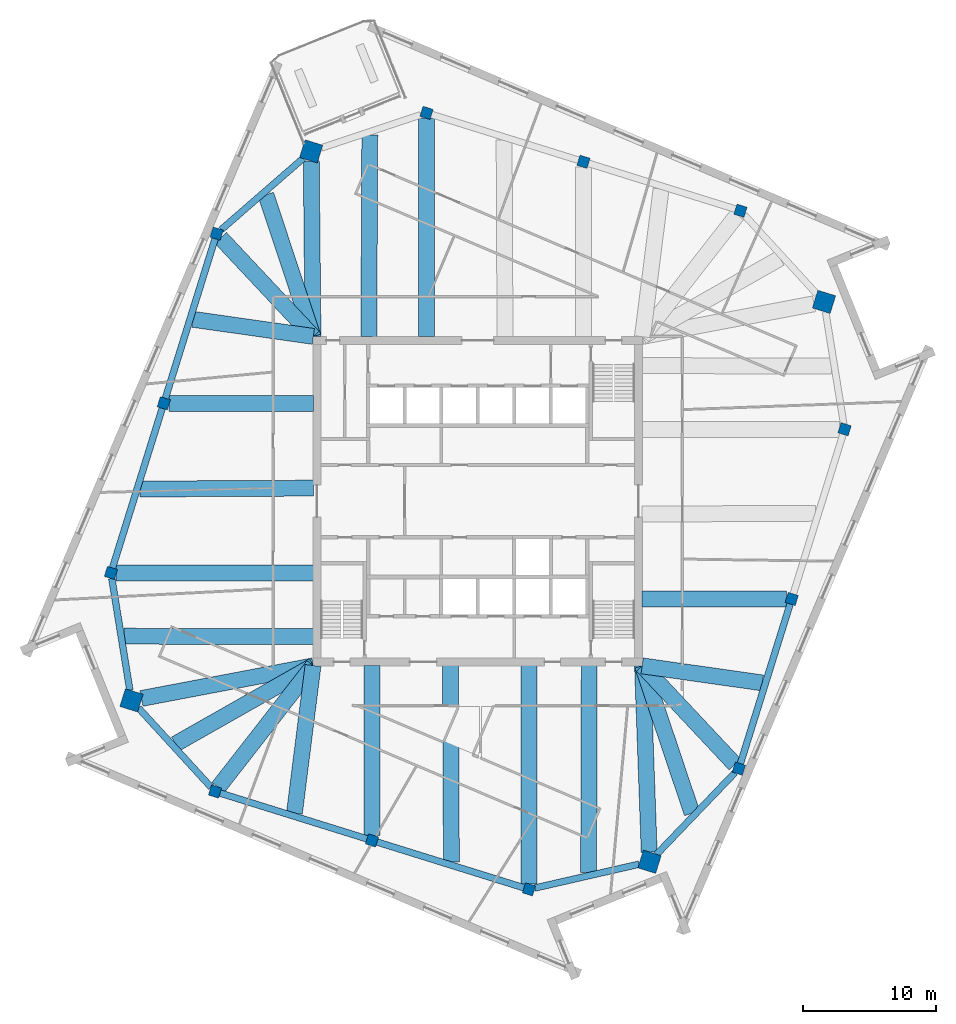
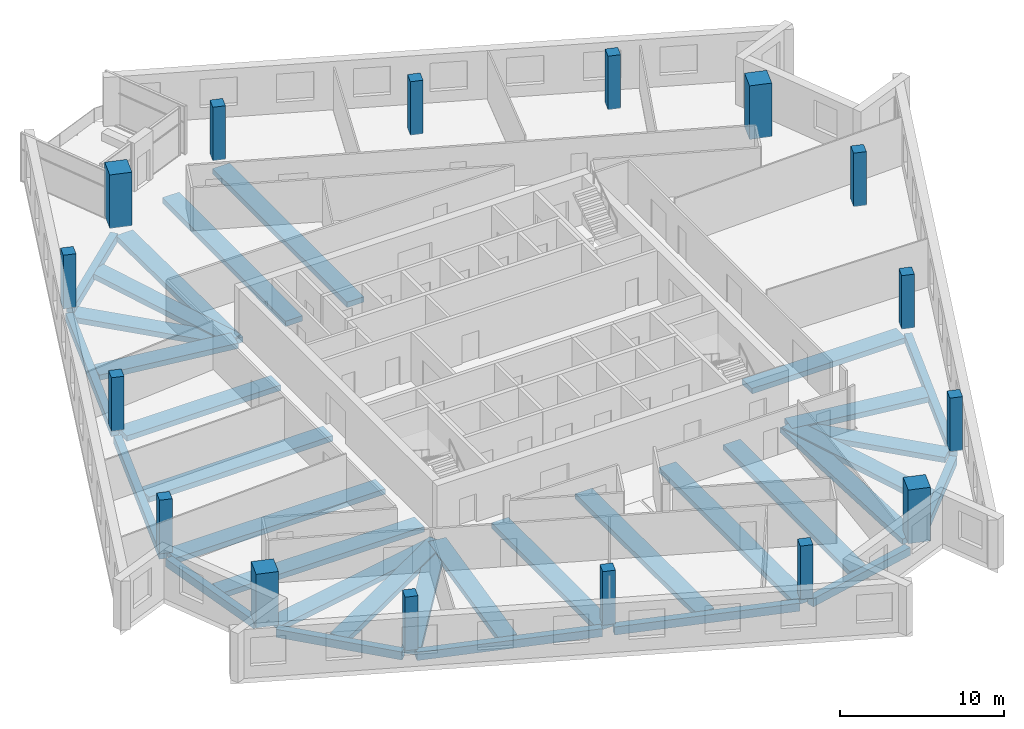
# One storey, part 1 of 13: 33 beams, 16 columns.
"""IFC4 building model written with IfcOpenShell, lengths in metres."""

from ifc_helpers import new_model, si_unit, direction, frame, origin, origin_2d, place, context, subcontext, project, spatial, rectangle, extrude, material, material_profile, profile_set, type_object, element, save


model = new_model("IFC4")

# Units and contexts
model_context = context("Model", 3, precision=1e-05, world=origin(), true_north=direction((0.0, 1.0)))
body_context = subcontext(model_context, "Body", "Model", "MODEL_VIEW")
ifc_project = project(units=[si_unit("LENGTHUNIT", "METRE"), si_unit("AREAUNIT", "SQUARE_METRE"), si_unit("VOLUMEUNIT", "CUBIC_METRE"), si_unit("PLANEANGLEUNIT", "RADIAN"), si_unit("MASSUNIT", "GRAM", prefix="KILO")], contexts=[model_context])

# Site, building, storey
site_placement = place(None, origin())
site = spatial("IfcSite", under=ifc_project, at=site_placement, CompositionType="ELEMENT")
building_placement = place(site_placement, origin())
building = spatial("IfcBuilding", under=site, at=building_placement, Name="Dilmun Exchange Tower", CompositionType="ELEMENT")
storey_placement = place(building_placement, frame((0.0, 0.0, 300.5)))
storey = spatial("IfcBuildingStorey", under=building, at=storey_placement, Name="L71", CompositionType="ELEMENT", Elevation=300.5)

# Columns
ifc_material_1 = material(Name="Concrete C50/60", Category="concrete")
ifc_material_profile_1 = material_profile(ifc_material_1, rectangle(XDim=1.39990234375, YDim=1.39990234375, at=origin_2d()), Name="1400 x 1400")
ifc_profile_set_1 = profile_set([ifc_material_profile_1], Name="Concrete C50/60")
column_type_1 = type_object("IfcColumnType", Name="RC mega column 1400 x 1400 C50/60", PredefinedType="COLUMN", material=ifc_profile_set_1)
for number, where, z_axis, x_axis, name in (
    (1, (-12.537109375, 26.322021484375, 0.0), (0.0, 0.0, 1.0), (0.297503182032, 0.954720826567, 0.0), "Mega column M1"),
    (2, (-26.06005859375, -14.9951171875, 0.0), (0.0, 0.0, 1.0), (0.297503182032, 0.954720826567, 0.0), "Mega column M2"),
    (3, (12.928955078125, -27.14404296875, 0.0), (0.0, 0.0, 1.0), (0.297503182032, 0.954720826567, 0.0), "Mega column M3"),
    (4, (26.06005859375, 14.9951171875, 0.0), (0.0, 0.0, 1.0), (0.297503182032, 0.954720826567, 0.0), "Mega column M4"),
):
    element("IfcColumn", number, at=place(storey_placement, frame(where, z_axis=z_axis, x_axis=x_axis)), inside=storey, type_object=column_type_1, Name=name, PredefinedType="COLUMN", context=body_context, shape_type="SweptSolid", body=[
        extrude(rectangle(XDim=1.39990234375, YDim=1.39990234375, at=origin_2d()), origin(), (0.0, 0.0, 1.0), 4.0),
    ])
ifc_material_profile_2 = material_profile(ifc_material_1, rectangle(XDim=0.800048828125, YDim=0.800048828125, at=origin_2d()), Name="800 x 800")
ifc_profile_set_2 = profile_set([ifc_material_profile_2], Name="Concrete C50/60")
column_type_2 = type_object("IfcColumnType", Name="RC ring column 800 x 800 C50/60", PredefinedType="COLUMN", material=ifc_profile_set_2)
for number, where, z_axis, x_axis, name in (
    (5, (-19.64990234375, 20.133056640625, 0.0), (0.0, 0.0, 1.0), (0.297503182032, 0.954720826567, 0.0), "Ring column R01"),
    (6, (-23.62890625, 7.363037109375, 0.0), (0.0, 0.0, 1.0), (0.297503182032, 0.954720826567, 0.0), "Ring column R02"),
    (7, (-27.60791015625, -5.406005859375, 0.0), (0.0, 0.0, 1.0), (0.297503182032, 0.954720826567, 0.0), "Ring column R03"),
    (8, (-19.77294921875, -21.85693359375, 0.0), (0.0, 0.0, 1.0), (0.297503182032, 0.954720826567, 0.0), "Ring column R04"),
    (9, (-7.9580078125, -25.5390625, 0.0), (0.0, 0.0, 1.0), (0.297503182032, 0.954720826567, 0.0), "Ring column R05"),
    (10, (3.85595703125, -29.219970703125, 0.0), (0.0, 0.0, 1.0), (0.297503182032, 0.954720826567, 0.0), "Ring column R06"),
    (11, (19.64990234375, -20.133056640625, 0.0), (0.0, 0.0, 1.0), (0.297503182032, 0.954720826567, 0.0), "Ring column R07"),
    (12, (23.62890625, -7.363037109375, 0.0), (0.0, 0.0, 1.0), (0.297503182032, 0.954720826567, 0.0), "Ring column R08"),
    (13, (27.60791015625, 5.406005859375, 0.0), (0.0, 0.0, 1.0), (0.297503182032, 0.954720826567, 0.0), "Ring column R09"),
    (14, (19.77294921875, 21.85693359375, 0.0), (0.0, 0.0, 1.0), (0.297503182032, 0.954720826567, 0.0), "Ring column R10"),
    (15, (7.9580078125, 25.5390625, 0.0), (0.0, 0.0, 1.0), (0.297503182032, 0.954720826567, 0.0), "Ring column R11"),
    (16, (-3.85595703125, 29.219970703125, 0.0), (0.0, 0.0, 1.0), (0.297503182032, 0.954720826567, 0.0), "Ring column R12"),
):
    element("IfcColumn", number, at=place(storey_placement, frame(where, z_axis=z_axis, x_axis=x_axis)), inside=storey, type_object=column_type_2, Name=name, PredefinedType="COLUMN", context=body_context, shape_type="SweptSolid", body=[
        extrude(rectangle(XDim=0.800048828125, YDim=0.800048828125, at=origin_2d()), origin(), (0.0, 0.0, 1.0), 4.0),
    ])

# Beams
ifc_material_2 = material(Name="Concrete C40/50", Category="concrete")
ifc_material_profile_3 = material_profile(ifc_material_2, rectangle(XDim=1.199951171875, YDim=0.39990234375, at=origin_2d()), Name="1200 x 400")
ifc_profile_set_3 = profile_set([ifc_material_profile_3], Name="Concrete C40/50")
beam_type_1 = type_object("IfcBeamType", Name="RC band beam 1200 x 400 C40/50", PredefinedType="BEAM", material=ifc_profile_set_3)
beam_1_placement = place(storey_placement, frame((-12.530029296875, 25.613525390625, -0.64990234375), z_axis=(0.009845926203, -0.999951527694, 0.0), x_axis=(0.999951527694, 0.009845926203, 0.0)))
element("IfcBeam", 17, at=beam_1_placement, inside=storey, type_object=beam_type_1, Name="Band beam 1", PredefinedType="BEAM", context=body_context, shape_type="SweptSolid", body=[
    extrude(rectangle(XDim=1.199951171875, YDim=0.39990234375, at=origin_2d()), origin(), (0.0, 0.0, 1.0), 13.2412109375),
])
beam_2_placement = place(storey_placement, frame((-19.35400390625, 19.8173828125, -0.64990234375), z_axis=(0.683952281649, -0.729526748261, 0.0), x_axis=(0.729526748261, 0.683952281649, 0.0)))
element("IfcBeam", 18, at=beam_2_placement, inside=storey, type_object=beam_type_1, Name="Band beam 2", PredefinedType="BEAM", context=body_context, shape_type="SweptSolid", body=[
    extrude(rectangle(XDim=1.199951171875, YDim=0.39990234375, at=origin_2d()), origin(), (0.0, 0.0, 1.0), 10.1943359375),
])
beam_3_placement = place(storey_placement, frame((-23.237060546875, 7.363037109375, -0.64990234375), z_axis=(1.0, 0.0, 0.0), x_axis=(0.0, 1.0, 0.0)))
element("IfcBeam", 19, at=beam_3_placement, inside=storey, type_object=beam_type_1, Name="Band beam 3", PredefinedType="BEAM", context=body_context, shape_type="SweptSolid", body=[
    extrude(rectangle(XDim=1.199951171875, YDim=0.39990234375, at=origin_2d()), origin(), (0.0, 0.0, 1.0), 10.864013671875),
])
beam_4_placement = place(storey_placement, frame((-27.216064453125, -5.406005859375, -0.64990234375), z_axis=(1.0, 0.0, 0.0), x_axis=(0.0, 1.0, 0.0)))
element("IfcBeam", 20, at=beam_4_placement, inside=storey, type_object=beam_type_1, Name="Band beam 4", PredefinedType="BEAM", context=body_context, shape_type="SweptSolid", body=[
    extrude(rectangle(XDim=1.199951171875, YDim=0.39990234375, at=origin_2d()), origin(), (0.0, 0.0, 1.0), 14.843017578125),
])
beam_5_placement = place(storey_placement, frame((-25.30712890625, -14.85205078125, -0.64990234375), z_axis=(0.982429348436, 0.18663487169, 0.0), x_axis=(-0.18663487169, 0.982429348436, 0.0)))
element("IfcBeam", 21, at=beam_5_placement, inside=storey, type_object=beam_type_1, Name="Band beam 5", PredefinedType="BEAM", context=body_context, shape_type="SweptSolid", body=[
    extrude(rectangle(XDim=1.199951171875, YDim=0.39990234375, at=origin_2d()), origin(), (0.0, 0.0, 1.0), 13.164794921875),
])
beam_6_placement = place(storey_placement, frame((-19.52685546875, -21.541259765625, -0.64990234375), z_axis=(0.614856714099, 0.788638840743, 0.0), x_axis=(-0.788638840743, 0.614856714099, 0.0)))
element("IfcBeam", 22, at=beam_6_placement, inside=storey, type_object=beam_type_1, Name="Band beam 6", PredefinedType="BEAM", context=body_context, shape_type="SweptSolid", body=[
    extrude(rectangle(XDim=1.199951171875, YDim=0.39990234375, at=origin_2d()), origin(), (0.0, 0.0, 1.0), 11.6181640625),
])
beam_7_placement = place(storey_placement, frame((-7.9580078125, -25.14697265625, -0.64990234375), z_axis=(0.0, 1.0, 0.0), x_axis=(-1.0, 0.0, 0.0)))
element("IfcBeam", 23, at=beam_7_placement, inside=storey, type_object=beam_type_1, Name="Band beam 7", PredefinedType="BEAM", context=body_context, shape_type="SweptSolid", body=[
    extrude(rectangle(XDim=1.199951171875, YDim=0.39990234375, at=origin_2d()), origin(), (0.0, 0.0, 1.0), 12.77392578125),
])
beam_8_placement = place(storey_placement, frame((3.85595703125, -28.827880859375, -0.64990234375), z_axis=(0.0, 1.0, 0.0), x_axis=(-1.0, 0.0, 0.0)))
element("IfcBeam", 24, at=beam_8_placement, inside=storey, type_object=beam_type_1, Name="Band beam 8", PredefinedType="BEAM", context=body_context, shape_type="SweptSolid", body=[
    extrude(rectangle(XDim=1.199951171875, YDim=0.39990234375, at=origin_2d()), origin(), (0.0, 0.0, 1.0), 16.454833984375),
])
beam_9_placement = place(storey_placement, frame((12.9033203125, -26.429443359375, -0.64990234375), z_axis=(-0.035860549827, 0.999356803632, 0.0), x_axis=(-0.999356803632, -0.035860549827, 0.0)))
element("IfcBeam", 25, at=beam_9_placement, inside=storey, type_object=beam_type_1, Name="Band beam 9", PredefinedType="BEAM", context=body_context, shape_type="SweptSolid", body=[
    extrude(rectangle(XDim=1.199951171875, YDim=0.39990234375, at=origin_2d()), origin(), (0.0, 0.0, 1.0), 14.0654296875),
])
beam_10_placement = place(storey_placement, frame((19.35400390625, -19.8173828125, -0.64990234375), z_axis=(-0.683952281649, 0.729526748261, 0.0), x_axis=(-0.729526748261, -0.683952281649, 0.0)))
element("IfcBeam", 26, at=beam_10_placement, inside=storey, type_object=beam_type_1, Name="Band beam 10", PredefinedType="BEAM", context=body_context, shape_type="SweptSolid", body=[
    extrude(rectangle(XDim=1.199951171875, YDim=0.39990234375, at=origin_2d()), origin(), (0.0, 0.0, 1.0), 10.1943359375),
])
beam_11_placement = place(storey_placement, frame((23.237060546875, -7.363037109375, -0.64990234375), z_axis=(-1.0, 0.0, 0.0), x_axis=(0.0, -1.0, 0.0)))
element("IfcBeam", 27, at=beam_11_placement, inside=storey, type_object=beam_type_1, Name="Band beam 11", PredefinedType="BEAM", context=body_context, shape_type="SweptSolid", body=[
    extrude(rectangle(XDim=1.199951171875, YDim=0.39990234375, at=origin_2d()), origin(), (0.0, 0.0, 1.0), 10.864013671875),
])
beam_12_placement = place(storey_placement, frame((-3.85595703125, 28.827880859375, -0.64990234375), z_axis=(0.0, -1.0, 0.0), x_axis=(1.0, 0.0, 0.0)))
element("IfcBeam", 28, at=beam_12_placement, inside=storey, type_object=beam_type_1, Name="Band beam 16", PredefinedType="BEAM", context=body_context, shape_type="SweptSolid", body=[
    extrude(rectangle(XDim=1.199951171875, YDim=0.39990234375, at=origin_2d()), origin(), (0.0, 0.0, 1.0), 16.454833984375),
])
beam_13_placement = place(storey_placement, frame((-15.947021484375, 23.059326171875, -0.550048828125), z_axis=(0.315752926282, -0.948841445946, 0.0), x_axis=(0.948841445946, 0.315752926282, 0.0)))
element("IfcBeam", 29, at=beam_13_placement, inside=storey, type_object=beam_type_1, Name="Band beam 17", PredefinedType="BEAM", context=body_context, shape_type="SweptSolid", body=[
    extrude(rectangle(XDim=1.199951171875, YDim=0.39990234375, at=origin_2d()), origin(), (0.0, 0.0, 1.0), 11.260986328125),
])
beam_14_placement = place(storey_placement, frame((-21.426513671875, 13.681640625, -0.550048828125), z_axis=(0.990066629404, -0.140598966357, 0.0), x_axis=(0.140598966357, 0.990066629404, 0.0)))
element("IfcBeam", 30, at=beam_14_placement, inside=storey, type_object=beam_type_1, Name="Band beam 18", PredefinedType="BEAM", context=body_context, shape_type="SweptSolid", body=[
    extrude(rectangle(XDim=1.199951171875, YDim=0.39990234375, at=origin_2d()), origin(), (0.0, 0.0, 1.0), 9.14404296875),
])
beam_15_placement = place(storey_placement, frame((-25.405517578125, 0.912109375, -0.550048828125), z_axis=(0.999987018468, 0.005095379798, 0.0), x_axis=(-0.005095379798, 0.999987018468, 0.0)))
element("IfcBeam", 31, at=beam_15_placement, inside=storey, type_object=beam_type_1, Name="Band beam 19", PredefinedType="BEAM", context=body_context, shape_type="SweptSolid", body=[
    extrude(rectangle(XDim=1.199951171875, YDim=0.39990234375, at=origin_2d()), origin(), (0.0, 0.0, 1.0), 13.03271484375),
])
beam_16_placement = place(storey_placement, frame((-26.614013671875, -10.1650390625, -0.550048828125), z_axis=(0.999996910379, -0.002485806038, 0.0), x_axis=(0.002485806038, 0.999996910379, 0.0)))
element("IfcBeam", 32, at=beam_16_placement, inside=storey, type_object=beam_type_1, Name="Band beam 20", PredefinedType="BEAM", context=body_context, shape_type="SweptSolid", body=[
    extrude(rectangle(XDim=1.199951171875, YDim=0.39990234375, at=origin_2d()), origin(), (0.0, 0.0, 1.0), 14.240966796875),
])
beam_17_placement = place(storey_placement, frame((-22.752197265625, -18.275390625, -0.550048828125), z_axis=(0.869690188955, 0.493597989496, 0.0), x_axis=(-0.493597989496, 0.869690188955, 0.0)))
element("IfcBeam", 33, at=beam_17_placement, inside=storey, type_object=beam_type_1, Name="Band beam 21", PredefinedType="BEAM", context=body_context, shape_type="SweptSolid", body=[
    extrude(rectangle(XDim=1.199951171875, YDim=0.39990234375, at=origin_2d()), origin(), (0.0, 0.0, 1.0), 11.93017578125),
])
beam_18_placement = place(storey_placement, frame((-13.79931640625, -23.485107421875, -0.550048828125), z_axis=(0.125252659456, 0.992124876867, 0.0), x_axis=(-0.992124876867, 0.125252659456, 0.0)))
element("IfcBeam", 34, at=beam_18_placement, inside=storey, type_object=beam_type_1, Name="Band beam 22", PredefinedType="BEAM", context=body_context, shape_type="SweptSolid", body=[
    extrude(rectangle(XDim=1.199951171875, YDim=0.39990234375, at=origin_2d()), origin(), (0.0, 0.0, 1.0), 11.199951171875),
])
beam_19_placement = place(storey_placement, frame((-1.984619140625, -27.16650390625, -0.550048828125), z_axis=(-0.004488848064, 0.999989925071, 0.0), x_axis=(-0.999989925071, -0.004488848064, 0.0)))
element("IfcBeam", 35, at=beam_19_placement, inside=storey, type_object=beam_type_1, Name="Band beam 23", PredefinedType="BEAM", context=body_context, shape_type="SweptSolid", body=[
    extrude(rectangle(XDim=1.199951171875, YDim=0.39990234375, at=origin_2d()), origin(), (0.0, 0.0, 1.0), 14.793701171875),
])
beam_20_placement = place(storey_placement, frame((8.3427734375, -27.964599609375, -0.550048828125), z_axis=(0.003194321582, 0.999994898142, 0.0), x_axis=(-0.999994898142, 0.003194321582, 0.0)))
element("IfcBeam", 36, at=beam_20_placement, inside=storey, type_object=beam_type_1, Name="Band beam 24", PredefinedType="BEAM", context=body_context, shape_type="SweptSolid", body=[
    extrude(rectangle(XDim=1.199951171875, YDim=0.39990234375, at=origin_2d()), origin(), (0.0, 0.0, 1.0), 15.591552734375),
])
beam_21_placement = place(storey_placement, frame((16.12841796875, -23.484130859375, -0.550048828125), z_axis=(-0.318844720982, 0.947806965527, 0.0), x_axis=(-0.947806965527, -0.318844720982, 0.0)))
element("IfcBeam", 37, at=beam_21_placement, inside=storey, type_object=beam_type_1, Name="Band beam 25", PredefinedType="BEAM", context=body_context, shape_type="SweptSolid", body=[
    extrude(rectangle(XDim=1.199951171875, YDim=0.39990234375, at=origin_2d()), origin(), (0.0, 0.0, 1.0), 11.721435546875),
])
beam_22_placement = place(storey_placement, frame((21.426513671875, -13.681640625, -0.550048828125), z_axis=(-0.990066629404, 0.140598966357, 0.0), x_axis=(-0.140598966357, -0.990066629404, 0.0)))
element("IfcBeam", 38, at=beam_22_placement, inside=storey, type_object=beam_type_1, Name="Band beam 26", PredefinedType="BEAM", context=body_context, shape_type="SweptSolid", body=[
    extrude(rectangle(XDim=1.199951171875, YDim=0.39990234375, at=origin_2d()), origin(), (0.0, 0.0, 1.0), 9.14404296875),
])
beam_23_placement = place(storey_placement, frame((-8.1259765625, 27.5595703125, -0.550048828125), z_axis=(-0.00464595333, -0.999989207501, 0.0), x_axis=(0.999989207501, -0.00464595333, 0.0)))
element("IfcBeam", 39, at=beam_23_placement, inside=storey, type_object=beam_type_1, Name="Band beam 32", PredefinedType="BEAM", context=body_context, shape_type="SweptSolid", body=[
    extrude(rectangle(XDim=1.199951171875, YDim=0.39990234375, at=origin_2d()), origin(), (0.0, 0.0, 1.0), 15.186767578125),
])
ifc_material_profile_4 = material_profile(ifc_material_2, rectangle(XDim=0.5, YDim=0.60009765625, at=origin_2d()), Name="500 x 600")
ifc_profile_set_4 = profile_set([ifc_material_profile_4], Name="Concrete C40/50")
beam_type_2 = type_object("IfcBeamType", Name="RC ring beam 500 x 600 C40/50", PredefinedType="SPANDREL", material=ifc_profile_set_4)
beam_24_placement = place(storey_placement, frame((-13.13720703125, 25.7998046875, -0.64990234375), z_axis=(-0.754412964807, -0.656400090289, 0.0), x_axis=(0.656400090289, -0.754412964807, 0.0)))
element("IfcBeam", 40, at=beam_24_placement, inside=storey, type_object=beam_type_2, Name="Ring beam 1", PredefinedType="SPANDREL", context=body_context, shape_type="SweptSolid", body=[
    extrude(rectangle(XDim=0.5, YDim=0.60009765625, at=origin_2d()), origin(), (0.0, 0.0, 1.0), 8.190185546875),
])
beam_25_placement = place(storey_placement, frame((-19.760986328125, 19.77685546875, -0.64990234375), z_axis=(-0.297481296371, -0.954727646143, 0.0), x_axis=(0.954727646143, -0.297481296371, 0.0)))
element("IfcBeam", 41, at=beam_25_placement, inside=storey, type_object=beam_type_2, Name="Ring beam 2", PredefinedType="SPANDREL", context=body_context, shape_type="SweptSolid", body=[
    extrude(rectangle(XDim=0.5, YDim=0.60009765625, at=origin_2d()), origin(), (0.0, 0.0, 1.0), 12.629638671875),
])
beam_26_placement = place(storey_placement, frame((-23.739990234375, 7.0068359375, -0.64990234375), z_axis=(-0.297508749799, -0.954719091562, 0.0), x_axis=(0.954719091562, -0.297508749799, 0.0)))
element("IfcBeam", 42, at=beam_26_placement, inside=storey, type_object=beam_type_2, Name="Ring beam 3", PredefinedType="SPANDREL", context=body_context, shape_type="SweptSolid", body=[
    extrude(rectangle(XDim=0.5, YDim=0.60009765625, at=origin_2d()), origin(), (0.0, 0.0, 1.0), 12.62841796875),
])
beam_27_placement = place(storey_placement, frame((-27.541015625, -5.820556640625, -0.64990234375), z_axis=(0.159356501233, -0.987221102649, 0.0), x_axis=(0.987221102649, 0.159356501233, 0.0)))
element("IfcBeam", 43, at=beam_27_placement, inside=storey, type_object=beam_type_2, Name="Ring beam 4", PredefinedType="SPANDREL", context=body_context, shape_type="SweptSolid", body=[
    extrude(rectangle(XDim=0.5, YDim=0.60009765625, at=origin_2d()), origin(), (0.0, 0.0, 1.0), 8.5380859375),
])
beam_28_placement = place(storey_placement, frame((-25.531005859375, -15.572265625, -0.64990234375), z_axis=(0.675535971399, -0.737327031476, 0.0), x_axis=(0.737327031476, 0.675535971399, 0.0)))
element("IfcBeam", 44, at=beam_28_placement, inside=storey, type_object=beam_type_2, Name="Ring beam 5", PredefinedType="SPANDREL", context=body_context, shape_type="SweptSolid", body=[
    extrude(rectangle(XDim=0.5, YDim=0.60009765625, at=origin_2d()), origin(), (0.0, 0.0, 1.0), 8.087890625),
])
beam_29_placement = place(storey_placement, frame((-19.4169921875, -21.968017578125, -0.64990234375), z_axis=(0.95471613385, -0.297518241065, 0.0), x_axis=(0.297518241065, 0.95471613385, 0.0)))
element("IfcBeam", 45, at=beam_29_placement, inside=storey, type_object=beam_type_2, Name="Ring beam 6", PredefinedType="SPANDREL", context=body_context, shape_type="SweptSolid", body=[
    extrude(rectangle(XDim=0.5, YDim=0.60009765625, at=origin_2d()), origin(), (0.0, 0.0, 1.0), 11.62939453125),
])
beam_30_placement = place(storey_placement, frame((-7.601806640625, -25.64990234375, -0.64990234375), z_axis=(0.954732553331, -0.297465546931, 0.0), x_axis=(0.297465546931, 0.954732553331, 0.0)))
element("IfcBeam", 46, at=beam_30_placement, inside=storey, type_object=beam_type_2, Name="Ring beam 7", PredefinedType="SPANDREL", context=body_context, shape_type="SweptSolid", body=[
    extrude(rectangle(XDim=0.5, YDim=0.60009765625, at=origin_2d()), origin(), (0.0, 0.0, 1.0), 11.628173828125),
])
beam_31_placement = place(storey_placement, frame((4.28076171875, -29.122802734375, -0.64990234375), z_axis=(0.974807153913, 0.223049350324, 0.0), x_axis=(-0.223049350324, 0.974807153913, 0.0)))
element("IfcBeam", 47, at=beam_31_placement, inside=storey, type_object=beam_type_2, Name="Ring beam 8", PredefinedType="SPANDREL", context=body_context, shape_type="SweptSolid", body=[
    extrude(rectangle(XDim=0.5, YDim=0.60009765625, at=origin_2d()), origin(), (0.0, 0.0, 1.0), 8.0888671875),
])
beam_32_placement = place(storey_placement, frame((13.451416015625, -26.598876953125, -0.64990234375), z_axis=(0.692021502551, 0.721876887016, 0.0), x_axis=(-0.721876887016, 0.692021502551, 0.0)))
element("IfcBeam", 48, at=beam_32_placement, inside=storey, type_object=beam_type_2, Name="Ring beam 9", PredefinedType="SPANDREL", context=body_context, shape_type="SweptSolid", body=[
    extrude(rectangle(XDim=0.5, YDim=0.60009765625, at=origin_2d()), origin(), (0.0, 0.0, 1.0), 8.537353515625),
])
beam_33_placement = place(storey_placement, frame((19.760986328125, -19.77685546875, -0.64990234375), z_axis=(0.297481296371, 0.954727646143, 0.0), x_axis=(-0.954727646143, 0.297481296371, 0.0)))
element("IfcBeam", 49, at=beam_33_placement, inside=storey, type_object=beam_type_2, Name="Ring beam 10", PredefinedType="SPANDREL", context=body_context, shape_type="SweptSolid", body=[
    extrude(rectangle(XDim=0.5, YDim=0.60009765625, at=origin_2d()), origin(), (0.0, 0.0, 1.0), 12.629638671875),
])

save(model, "model.ifc")
